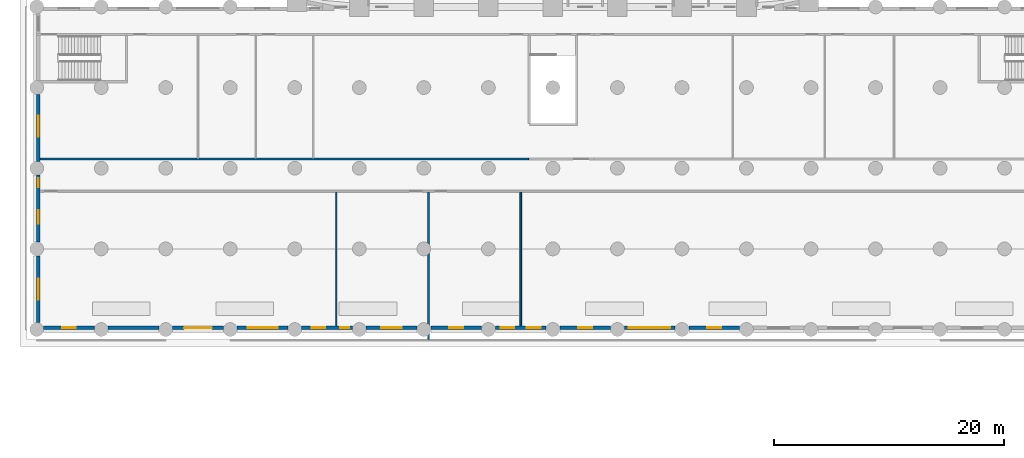
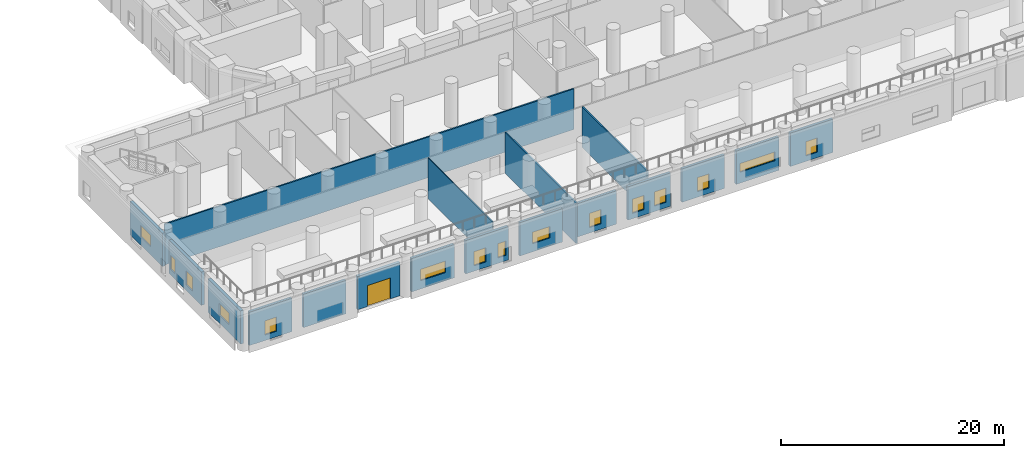
# One storey, part 6 of 24: 18 walls, 15 windows, 1 door, 16 openings.
"""IFC4 building model written with IfcOpenShell, lengths in metres."""

from ifc_helpers import new_model, si_unit, direction, frame, frame_2d, origin, place, context, subcontext, project, spatial, rectangle, extrude, material, layer, layer_set, type_object, element, fill, save


model = new_model("IFC4")

# Units and contexts
model_context = context("Model", 3, precision=1e-05, world=origin(), true_north=direction((0.0, 1.0)))
body_context = subcontext(model_context, "Body", "Model", "MODEL_VIEW")
ifc_project = project(units=[si_unit("LENGTHUNIT", "METRE"), si_unit("AREAUNIT", "SQUARE_METRE"), si_unit("VOLUMEUNIT", "CUBIC_METRE"), si_unit("PLANEANGLEUNIT", "RADIAN"), si_unit("MASSUNIT", "GRAM", prefix="KILO")], contexts=[model_context])

# Site, building, storey
site_placement = place(None, origin())
site = spatial("IfcSite", under=ifc_project, at=site_placement, CompositionType="ELEMENT")
building_placement = place(site_placement, origin())
building = spatial("IfcBuilding", under=site, at=building_placement, Name="Kiln Ring Residences", CompositionType="ELEMENT")
storey_placement = place(building_placement, frame((0.0, 0.0, 11.300048828125)))
storey = spatial("IfcBuildingStorey", under=building, at=storey_placement, Name="L02", CompositionType="ELEMENT", Elevation=11.300048828125)

# Wall, opening, window
ifc_material_1 = material(Name="Brick masonry, dark clay brick", Category="masonry")
ifc_layer_1 = layer(ifc_material_1, 0.300048828125)
ifc_layer_set_1 = layer_set([ifc_layer_1], Name="EW-300 BRICK WALL")
wall_type_1 = type_object("IfcWallType", Name="EW-300 BRICK WALL", PredefinedType="SOLIDWALL", material=ifc_layer_set_1)
wall_1_placement = place(storey_placement, frame((-44.64990234375, -30.0, 0.0), z_axis=(0.0, 0.0, 1.0), x_axis=(0.0, -1.0, 0.0)))
wall_1 = element("IfcWall", 1, at=wall_1_placement, inside=storey, type_object=wall_type_1, Name="Facade wall L02 56", PredefinedType="SOLIDWALL", context=body_context, shape_type="SweptSolid", body=[
    extrude(rectangle(XDim=5.800048828125, YDim=0.300048828125, at=frame_2d((2.89990234375, 0.0))), origin(), (0.0, 0.0, 1.0), 3.64990234375),
])
opening_1_placement = place(wall_1_placement, frame((1.862548828125, 0.0, 0.89990234375)))
opening_1 = element("IfcOpeningElement", 2, at=opening_1_placement, cuts=wall_1, Name="Opening W2", PredefinedType="OPENING", context=body_context, shape_type="SweptSolid", body=[
    extrude(rectangle(XDim=1.800048828125, YDim=1.25, at=frame_2d((0.89990234375, 0.625))), frame((0.0, 0.159912109375, 0.0), z_axis=(0.0, -1.0, 0.0), x_axis=(1.0, 0.0, 0.0)), (0.0, 0.0, 1.0), 0.320068359375),
])
ifc_material_2 = material(Name="Aluminium frame with double glazing", Category="aluminium")
window_type_1 = type_object("IfcWindowType", Name="WINDOW 1800 x 1250", PartitioningType="SINGLE_PANEL", PredefinedType="WINDOW", material=ifc_material_2)
window_1_placement = place(opening_1_placement, origin())
window_1 = element("IfcWindow", 3, at=window_1_placement, inside=storey, type_object=window_type_1, Name="Window L02 28", OverallHeight=1.25, OverallWidth=1.800048828125, PartitioningType="SINGLE_PANEL", PredefinedType="WINDOW", context=body_context, shape_type="SweptSolid", body=[
    extrude(rectangle(XDim=1.800048828125, YDim=1.25, at=frame_2d((0.89990234375, 0.625))), frame((0.0, 0.030029296875, 0.0), z_axis=(0.0, -1.0, 0.0), x_axis=(1.0, 0.0, 0.0)), (0.0, 0.0, 1.0), 0.06005859375),
])
fill(opening_1, window_1)

# Wall, openings, windows
wall_2_placement = place(storey_placement, frame((-44.64990234375, -37.0, 0.0), z_axis=(0.0, 0.0, 1.0), x_axis=(0.0, -1.0, 0.0)))
wall_2 = element("IfcWall", 4, at=wall_2_placement, inside=storey, type_object=wall_type_1, Name="Facade wall L02 57", PredefinedType="SOLIDWALL", context=body_context, shape_type="SweptSolid", body=[
    extrude(rectangle(XDim=5.800048828125, YDim=0.300048828125, at=frame_2d((2.89990234375, 0.0))), origin(), (0.0, 0.0, 1.0), 3.64990234375),
])
opening_2_placement = place(wall_2_placement, frame((0.262451171875, 0.0, 0.60009765625)))
opening_2 = element("IfcOpeningElement", 5, at=opening_2_placement, cuts=wall_2, Name="Opening W5", PredefinedType="OPENING", context=body_context, shape_type="SweptSolid", body=[
    extrude(rectangle(XDim=0.800048828125, YDim=1.550048828125, at=frame_2d((0.39990234375, 0.77490234375))), frame((0.0, 0.159912109375, 0.0), z_axis=(0.0, -1.0, 0.0), x_axis=(1.0, 0.0, 0.0)), (0.0, 0.0, 1.0), 0.320068359375),
])
opening_3_placement = place(wall_2_placement, frame((3.03759765625, 0.0, 0.60009765625)))
opening_3 = element("IfcOpeningElement", 6, at=opening_3_placement, cuts=wall_2, Name="Opening W1", PredefinedType="OPENING", context=body_context, shape_type="SweptSolid", body=[
    extrude(rectangle(XDim=1.199951171875, YDim=1.550048828125, at=frame_2d((0.60009765625, 0.77490234375))), frame((0.0, 0.159912109375, 0.0), z_axis=(0.0, -1.0, 0.0), x_axis=(1.0, 0.0, 0.0)), (0.0, 0.0, 1.0), 0.320068359375),
])
ifc_material_3 = material(Name="Aluminium frame with double glazing", Category="aluminium")
window_type_2 = type_object("IfcWindowType", Name="WINDOW 1200 x 1550", PartitioningType="SINGLE_PANEL", PredefinedType="WINDOW", material=ifc_material_3)
window_2_placement = place(opening_3_placement, origin())
window_2 = element("IfcWindow", 7, at=window_2_placement, inside=storey, type_object=window_type_2, Name="Window L02 30", OverallHeight=1.550048828125, OverallWidth=1.199951171875, PartitioningType="SINGLE_PANEL", PredefinedType="WINDOW", context=body_context, shape_type="SweptSolid", body=[
    extrude(rectangle(XDim=1.199951171875, YDim=1.550048828125, at=frame_2d((0.60009765625, 0.77490234375))), frame((0.0, 0.030029296875, 0.0), z_axis=(0.0, -1.0, 0.0), x_axis=(1.0, 0.0, 0.0)), (0.0, 0.0, 1.0), 0.06005859375),
])
fill(opening_3, window_2)
ifc_material_4 = material(Name="Aluminium frame with double glazing", Category="aluminium")
window_type_3 = type_object("IfcWindowType", Name="WINDOW 800 x 1550", PartitioningType="SINGLE_PANEL", PredefinedType="WINDOW", material=ifc_material_4)
window_3_placement = place(opening_2_placement, origin())
window_3 = element("IfcWindow", 8, at=window_3_placement, inside=storey, type_object=window_type_3, Name="Window L02 29", OverallHeight=1.550048828125, OverallWidth=0.800048828125, PartitioningType="SINGLE_PANEL", PredefinedType="WINDOW", context=body_context, shape_type="SweptSolid", body=[
    extrude(rectangle(XDim=0.800048828125, YDim=1.550048828125, at=frame_2d((0.39990234375, 0.77490234375))), frame((0.0, 0.030029296875, 0.0), z_axis=(0.0, -1.0, 0.0), x_axis=(1.0, 0.0, 0.0)), (0.0, 0.0, 1.0), 0.06005859375),
])
fill(opening_2, window_3)

# Wall, opening, window
wall_3_placement = place(storey_placement, frame((-44.64990234375, -44.0, 0.0), z_axis=(0.0, 0.0, 1.0), x_axis=(0.0, -1.0, 0.0)))
wall_3 = element("IfcWall", 9, at=wall_3_placement, inside=storey, type_object=wall_type_1, Name="Facade wall L02 58", PredefinedType="SOLIDWALL", context=body_context, shape_type="SweptSolid", body=[
    extrude(rectangle(XDim=5.800048828125, YDim=0.300048828125, at=frame_2d((2.89990234375, 0.0))), origin(), (0.0, 0.0, 1.0), 3.64990234375),
])
opening_4_placement = place(wall_3_placement, frame((2.0, 0.0, 0.89990234375)))
opening_4 = element("IfcOpeningElement", 10, at=opening_4_placement, cuts=wall_3, Name="Opening W2", PredefinedType="OPENING", context=body_context, shape_type="SweptSolid", body=[
    extrude(rectangle(XDim=1.800048828125, YDim=1.25, at=frame_2d((0.89990234375, 0.625))), frame((0.0, 0.159912109375, 0.0), z_axis=(0.0, -1.0, 0.0), x_axis=(1.0, 0.0, 0.0)), (0.0, 0.0, 1.0), 0.320068359375),
])
window_4_placement = place(opening_4_placement, origin())
window_4 = element("IfcWindow", 11, at=window_4_placement, inside=storey, type_object=window_type_1, Name="Window L02 31", OverallHeight=1.25, OverallWidth=1.800048828125, PartitioningType="SINGLE_PANEL", PredefinedType="WINDOW", context=body_context, shape_type="SweptSolid", body=[
    extrude(rectangle(XDim=1.800048828125, YDim=1.25, at=frame_2d((0.89990234375, 0.625))), frame((0.0, 0.030029296875, 0.0), z_axis=(0.0, -1.0, 0.0), x_axis=(1.0, 0.0, 0.0)), (0.0, 0.0, 1.0), 0.06005859375),
])
fill(opening_4, window_4)

wall_4_placement = place(storey_placement, frame((-44.199951171875, -50.25, 0.0), z_axis=(0.0, 0.0, 1.0), x_axis=(1.0, 0.0, 0.0)))
wall_4 = element("IfcWall", 12, at=wall_4_placement, inside=storey, type_object=wall_type_1, Name="Facade wall L02 59", PredefinedType="SOLIDWALL", context=body_context, shape_type="SweptSolid", body=[
    extrude(rectangle(XDim=4.39990234375, YDim=0.300048828125, at=frame_2d((2.199951171875, 0.0))), origin(), (0.0, 0.0, 1.0), 3.64990234375),
])
opening_5_placement = place(wall_4_placement, frame((1.60009765625, 0.0, 0.60009765625)))
opening_5 = element("IfcOpeningElement", 13, at=opening_5_placement, cuts=wall_4, Name="Opening W1", PredefinedType="OPENING", context=body_context, shape_type="SweptSolid", body=[
    extrude(rectangle(XDim=1.199951171875, YDim=1.550048828125, at=frame_2d((0.60009765625, 0.77490234375))), frame((0.0, 0.159912109375, 0.0), z_axis=(0.0, -1.0, 0.0), x_axis=(1.0, 0.0, 0.0)), (0.0, 0.0, 1.0), 0.320068359375),
])
window_5_placement = place(opening_5_placement, origin())
window_5 = element("IfcWindow", 14, at=window_5_placement, inside=storey, type_object=window_type_2, Name="Window L02 32", OverallHeight=1.550048828125, OverallWidth=1.199951171875, PartitioningType="SINGLE_PANEL", PredefinedType="WINDOW", context=body_context, shape_type="SweptSolid", body=[
    extrude(rectangle(XDim=1.199951171875, YDim=1.550048828125, at=frame_2d((0.60009765625, 0.77490234375))), frame((0.0, 0.030029296875, 0.0), z_axis=(0.0, -1.0, 0.0), x_axis=(1.0, 0.0, 0.0)), (0.0, 0.0, 1.0), 0.06005859375),
])
fill(opening_5, window_5)

# Wall
wall_5_placement = place(storey_placement, frame((-38.60009765625, -50.25, 0.0), z_axis=(0.0, 0.0, 1.0), x_axis=(1.0, 0.0, 0.0)))
element("IfcWall", 15, at=wall_5_placement, inside=storey, type_object=wall_type_1, Name="Facade wall L02 60", PredefinedType="SOLIDWALL", context=body_context, shape_type="SweptSolid", body=[
    extrude(rectangle(XDim=4.400146484375, YDim=0.300048828125, at=frame_2d((2.2001953125, 0.0))), origin(), (0.0, 0.0, 1.0), 3.64990234375),
])

# Wall, opening, door
wall_6_placement = place(storey_placement, frame((-33.0, -50.25, 0.0), z_axis=(0.0, 0.0, 1.0), x_axis=(1.0, 0.0, 0.0)))
wall_6 = element("IfcWall", 16, at=wall_6_placement, inside=storey, type_object=wall_type_1, Name="Facade wall L02 61", PredefinedType="SOLIDWALL", context=body_context, shape_type="SweptSolid", body=[
    extrude(rectangle(XDim=4.39990234375, YDim=0.300048828125, at=frame_2d((2.199951171875, 0.0))), origin(), (0.0, 0.0, 1.0), 3.64990234375),
])
opening_6_placement = place(wall_6_placement, frame((1.0, 0.0, 0.0)))
opening_6 = element("IfcOpeningElement", 17, at=opening_6_placement, cuts=wall_6, Name="Opening EL02-1", PredefinedType="OPENING", context=body_context, shape_type="SweptSolid", body=[
    extrude(rectangle(XDim=2.39990234375, YDim=2.300048828125, at=frame_2d((1.199951171875, 1.14990234375))), frame((0.0, 0.159912109375, 0.0), z_axis=(0.0, -1.0, 0.0), x_axis=(1.0, 0.0, 0.0)), (0.0, 0.0, 1.0), 0.320068359375),
])
ifc_material_5 = material(Name="Aluminium and glass", Category="aluminium")
door_type = type_object("IfcDoorType", Name="TERRACE DOOR 2400 x 2300", OperationType="DOUBLE_DOOR_SINGLE_SWING", PredefinedType="DOOR", material=ifc_material_5)
door_placement = place(opening_6_placement, origin())
door = element("IfcDoor", 18, at=door_placement, inside=storey, type_object=door_type, Name="Terrace door EL02-1", OperationType="SINGLE_SWING_LEFT", OverallHeight=2.300048828125, OverallWidth=2.39990234375, PredefinedType="DOOR", context=body_context, shape_type="SweptSolid", body=[
    extrude(rectangle(XDim=2.39990234375, YDim=2.300048828125, at=frame_2d((1.199951171875, 1.14990234375))), frame((0.0, 0.02490234375, 0.0), z_axis=(0.0, -1.0, 0.0), x_axis=(1.0, 0.0, 0.0)), (0.0, 0.0, 1.0), 0.050048828125),
])
fill(opening_6, door)

# Wall, opening, window
wall_7_placement = place(storey_placement, frame((-27.39990234375, -50.25, 0.0), z_axis=(0.0, 0.0, 1.0), x_axis=(1.0, 0.0, 0.0)))
wall_7 = element("IfcWall", 19, at=wall_7_placement, inside=storey, type_object=wall_type_1, Name="Facade wall L02 62", PredefinedType="SOLIDWALL", context=body_context, shape_type="SweptSolid", body=[
    extrude(rectangle(XDim=4.39990234375, YDim=0.300048828125, at=frame_2d((2.199951171875, 0.0))), origin(), (0.0, 0.0, 1.0), 3.64990234375),
])
opening_7_placement = place(wall_7_placement, frame((0.89990234375, 0.0, 0.89990234375)))
opening_7 = element("IfcOpeningElement", 20, at=opening_7_placement, cuts=wall_7, Name="Opening W3", PredefinedType="OPENING", context=body_context, shape_type="SweptSolid", body=[
    extrude(rectangle(XDim=2.60009765625, YDim=1.25, at=frame_2d((1.300048828125, 0.625))), frame((0.0, 0.159912109375, 0.0), z_axis=(0.0, -1.0, 0.0), x_axis=(1.0, 0.0, 0.0)), (0.0, 0.0, 1.0), 0.320068359375),
])
ifc_material_6 = material(Name="Aluminium frame with double glazing", Category="aluminium")
window_type_4 = type_object("IfcWindowType", Name="WINDOW 2600 x 1250", PartitioningType="SINGLE_PANEL", PredefinedType="WINDOW", material=ifc_material_6)
window_6_placement = place(opening_7_placement, origin())
window_6 = element("IfcWindow", 21, at=window_6_placement, inside=storey, type_object=window_type_4, Name="Window L02 33", OverallHeight=1.25, OverallWidth=2.60009765625, PartitioningType="SINGLE_PANEL", PredefinedType="WINDOW", context=body_context, shape_type="SweptSolid", body=[
    extrude(rectangle(XDim=2.60009765625, YDim=1.25, at=frame_2d((1.300048828125, 0.625))), frame((0.0, 0.030029296875, 0.0), z_axis=(0.0, -1.0, 0.0), x_axis=(1.0, 0.0, 0.0)), (0.0, 0.0, 1.0), 0.06005859375),
])
fill(opening_7, window_6)

# Wall, openings, windows
wall_8_placement = place(storey_placement, frame((-21.800048828125, -50.25, 0.0), z_axis=(0.0, 0.0, 1.0), x_axis=(1.0, 0.0, 0.0)))
wall_8 = element("IfcWall", 22, at=wall_8_placement, inside=storey, type_object=wall_type_1, Name="Facade wall L02 63", PredefinedType="SOLIDWALL", context=body_context, shape_type="SweptSolid", body=[
    extrude(rectangle(XDim=4.400146484375, YDim=0.300048828125, at=frame_2d((2.2001953125, 0.0))), origin(), (0.0, 0.0, 1.0), 3.64990234375),
])
opening_8_placement = place(wall_8_placement, frame((0.862548828125, 0.0, 0.60009765625)))
opening_8 = element("IfcOpeningElement", 23, at=opening_8_placement, cuts=wall_8, Name="Opening W1", PredefinedType="OPENING", context=body_context, shape_type="SweptSolid", body=[
    extrude(rectangle(XDim=1.199951171875, YDim=1.550048828125, at=frame_2d((0.60009765625, 0.77490234375))), frame((0.0, 0.159912109375, 0.0), z_axis=(0.0, -1.0, 0.0), x_axis=(1.0, 0.0, 0.0)), (0.0, 0.0, 1.0), 0.320068359375),
])
opening_9_placement = place(wall_8_placement, frame((3.33740234375, 0.0, 0.60009765625)))
opening_9 = element("IfcOpeningElement", 24, at=opening_9_placement, cuts=wall_8, Name="Opening W5", PredefinedType="OPENING", context=body_context, shape_type="SweptSolid", body=[
    extrude(rectangle(XDim=0.800048828125, YDim=1.550048828125, at=frame_2d((0.39990234375, 0.77490234375))), frame((0.0, 0.159912109375, 0.0), z_axis=(0.0, -1.0, 0.0), x_axis=(1.0, 0.0, 0.0)), (0.0, 0.0, 1.0), 0.320068359375),
])
window_7_placement = place(opening_8_placement, origin())
window_7 = element("IfcWindow", 25, at=window_7_placement, inside=storey, type_object=window_type_2, Name="Window L02 34", OverallHeight=1.550048828125, OverallWidth=1.199951171875, PartitioningType="SINGLE_PANEL", PredefinedType="WINDOW", context=body_context, shape_type="SweptSolid", body=[
    extrude(rectangle(XDim=1.199951171875, YDim=1.550048828125, at=frame_2d((0.60009765625, 0.77490234375))), frame((0.0, 0.030029296875, 0.0), z_axis=(0.0, -1.0, 0.0), x_axis=(1.0, 0.0, 0.0)), (0.0, 0.0, 1.0), 0.06005859375),
])
fill(opening_8, window_7)
window_8_placement = place(opening_9_placement, origin())
window_8 = element("IfcWindow", 26, at=window_8_placement, inside=storey, type_object=window_type_3, Name="Window L02 35", OverallHeight=1.550048828125, OverallWidth=0.800048828125, PartitioningType="SINGLE_PANEL", PredefinedType="WINDOW", context=body_context, shape_type="SweptSolid", body=[
    extrude(rectangle(XDim=0.800048828125, YDim=1.550048828125, at=frame_2d((0.39990234375, 0.77490234375))), frame((0.0, 0.030029296875, 0.0), z_axis=(0.0, -1.0, 0.0), x_axis=(1.0, 0.0, 0.0)), (0.0, 0.0, 1.0), 0.06005859375),
])
fill(opening_9, window_8)

# Wall, opening, window
wall_9_placement = place(storey_placement, frame((-16.199951171875, -50.25, 0.0), z_axis=(0.0, 0.0, 1.0), x_axis=(1.0, 0.0, 0.0)))
wall_9 = element("IfcWall", 27, at=wall_9_placement, inside=storey, type_object=wall_type_1, Name="Facade wall L02 64", PredefinedType="SOLIDWALL", context=body_context, shape_type="SweptSolid", body=[
    extrude(rectangle(XDim=4.39990234375, YDim=0.300048828125, at=frame_2d((2.199951171875, 0.0))), origin(), (0.0, 0.0, 1.0), 3.64990234375),
])
opening_10_placement = place(wall_9_placement, frame((1.300048828125, 0.0, 0.89990234375)))
opening_10 = element("IfcOpeningElement", 28, at=opening_10_placement, cuts=wall_9, Name="Opening W2", PredefinedType="OPENING", context=body_context, shape_type="SweptSolid", body=[
    extrude(rectangle(XDim=1.800048828125, YDim=1.25, at=frame_2d((0.89990234375, 0.625))), frame((0.0, 0.159912109375, 0.0), z_axis=(0.0, -1.0, 0.0), x_axis=(1.0, 0.0, 0.0)), (0.0, 0.0, 1.0), 0.320068359375),
])
window_9_placement = place(opening_10_placement, origin())
window_9 = element("IfcWindow", 29, at=window_9_placement, inside=storey, type_object=window_type_1, Name="Window L02 36", OverallHeight=1.25, OverallWidth=1.800048828125, PartitioningType="SINGLE_PANEL", PredefinedType="WINDOW", context=body_context, shape_type="SweptSolid", body=[
    extrude(rectangle(XDim=1.800048828125, YDim=1.25, at=frame_2d((0.89990234375, 0.625))), frame((0.0, 0.030029296875, 0.0), z_axis=(0.0, -1.0, 0.0), x_axis=(1.0, 0.0, 0.0)), (0.0, 0.0, 1.0), 0.06005859375),
])
fill(opening_10, window_9)

wall_10_placement = place(storey_placement, frame((-10.60009765625, -50.25, 0.0), z_axis=(0.0, 0.0, 1.0), x_axis=(1.0, 0.0, 0.0)))
wall_10 = element("IfcWall", 30, at=wall_10_placement, inside=storey, type_object=wall_type_1, Name="Facade wall L02 65", PredefinedType="SOLIDWALL", context=body_context, shape_type="SweptSolid", body=[
    extrude(rectangle(XDim=4.400146484375, YDim=0.300048828125, at=frame_2d((2.2001953125, 0.0))), origin(), (0.0, 0.0, 1.0), 3.64990234375),
])
opening_11_placement = place(wall_10_placement, frame((1.60009765625, 0.0, 0.60009765625)))
opening_11 = element("IfcOpeningElement", 31, at=opening_11_placement, cuts=wall_10, Name="Opening W1", PredefinedType="OPENING", context=body_context, shape_type="SweptSolid", body=[
    extrude(rectangle(XDim=1.199951171875, YDim=1.550048828125, at=frame_2d((0.60009765625, 0.77490234375))), frame((0.0, 0.159912109375, 0.0), z_axis=(0.0, -1.0, 0.0), x_axis=(1.0, 0.0, 0.0)), (0.0, 0.0, 1.0), 0.320068359375),
])
window_10_placement = place(opening_11_placement, origin())
window_10 = element("IfcWindow", 32, at=window_10_placement, inside=storey, type_object=window_type_2, Name="Window L02 37", OverallHeight=1.550048828125, OverallWidth=1.199951171875, PartitioningType="SINGLE_PANEL", PredefinedType="WINDOW", context=body_context, shape_type="SweptSolid", body=[
    extrude(rectangle(XDim=1.199951171875, YDim=1.550048828125, at=frame_2d((0.60009765625, 0.77490234375))), frame((0.0, 0.030029296875, 0.0), z_axis=(0.0, -1.0, 0.0), x_axis=(1.0, 0.0, 0.0)), (0.0, 0.0, 1.0), 0.06005859375),
])
fill(opening_11, window_10)

# Wall, openings, windows
wall_11_placement = place(storey_placement, frame((-5.0, -50.25, 0.0), z_axis=(0.0, 0.0, 1.0), x_axis=(1.0, 0.0, 0.0)))
wall_11 = element("IfcWall", 33, at=wall_11_placement, inside=storey, type_object=wall_type_1, Name="Facade wall L02 66", PredefinedType="SOLIDWALL", context=body_context, shape_type="SweptSolid", body=[
    extrude(rectangle(XDim=4.39990234375, YDim=0.300048828125, at=frame_2d((2.199951171875, 0.0))), origin(), (0.0, 0.0, 1.0), 3.64990234375),
])
opening_12_placement = place(wall_11_placement, frame((0.46240234375, 0.0, 0.60009765625)))
opening_12 = element("IfcOpeningElement", 34, at=opening_12_placement, cuts=wall_11, Name="Opening W1", PredefinedType="OPENING", context=body_context, shape_type="SweptSolid", body=[
    extrude(rectangle(XDim=1.199951171875, YDim=1.550048828125, at=frame_2d((0.60009765625, 0.77490234375))), frame((0.0, 0.159912109375, 0.0), z_axis=(0.0, -1.0, 0.0), x_axis=(1.0, 0.0, 0.0)), (0.0, 0.0, 1.0), 0.320068359375),
])
opening_13_placement = place(wall_11_placement, frame((2.737548828125, 0.0, 0.60009765625)))
opening_13 = element("IfcOpeningElement", 35, at=opening_13_placement, cuts=wall_11, Name="Opening W1", PredefinedType="OPENING", context=body_context, shape_type="SweptSolid", body=[
    extrude(rectangle(XDim=1.199951171875, YDim=1.550048828125, at=frame_2d((0.60009765625, 0.77490234375))), frame((0.0, 0.159912109375, 0.0), z_axis=(0.0, -1.0, 0.0), x_axis=(1.0, 0.0, 0.0)), (0.0, 0.0, 1.0), 0.320068359375),
])
window_11_placement = place(opening_12_placement, origin())
window_11 = element("IfcWindow", 36, at=window_11_placement, inside=storey, type_object=window_type_2, Name="Window L02 38", OverallHeight=1.550048828125, OverallWidth=1.199951171875, PartitioningType="SINGLE_PANEL", PredefinedType="WINDOW", context=body_context, shape_type="SweptSolid", body=[
    extrude(rectangle(XDim=1.199951171875, YDim=1.550048828125, at=frame_2d((0.60009765625, 0.77490234375))), frame((0.0, 0.030029296875, 0.0), z_axis=(0.0, -1.0, 0.0), x_axis=(1.0, 0.0, 0.0)), (0.0, 0.0, 1.0), 0.06005859375),
])
fill(opening_12, window_11)
window_12_placement = place(opening_13_placement, origin())
window_12 = element("IfcWindow", 37, at=window_12_placement, inside=storey, type_object=window_type_2, Name="Window L02 39", OverallHeight=1.550048828125, OverallWidth=1.199951171875, PartitioningType="SINGLE_PANEL", PredefinedType="WINDOW", context=body_context, shape_type="SweptSolid", body=[
    extrude(rectangle(XDim=1.199951171875, YDim=1.550048828125, at=frame_2d((0.60009765625, 0.77490234375))), frame((0.0, 0.030029296875, 0.0), z_axis=(0.0, -1.0, 0.0), x_axis=(1.0, 0.0, 0.0)), (0.0, 0.0, 1.0), 0.06005859375),
])
fill(opening_13, window_12)

# Wall, opening, window
wall_12_placement = place(storey_placement, frame((0.60009765625, -50.25, 0.0), z_axis=(0.0, 0.0, 1.0), x_axis=(1.0, 0.0, 0.0)))
wall_12 = element("IfcWall", 38, at=wall_12_placement, inside=storey, type_object=wall_type_1, Name="Facade wall L02 67", PredefinedType="SOLIDWALL", context=body_context, shape_type="SweptSolid", body=[
    extrude(rectangle(XDim=4.39990234375, YDim=0.300048828125, at=frame_2d((2.199951171875, 0.0))), origin(), (0.0, 0.0, 1.0), 3.64990234375),
])
opening_14_placement = place(wall_12_placement, frame((1.60009765625, 0.0, 0.60009765625)))
opening_14 = element("IfcOpeningElement", 39, at=opening_14_placement, cuts=wall_12, Name="Opening W1", PredefinedType="OPENING", context=body_context, shape_type="SweptSolid", body=[
    extrude(rectangle(XDim=1.199951171875, YDim=1.550048828125, at=frame_2d((0.60009765625, 0.77490234375))), frame((0.0, 0.159912109375, 0.0), z_axis=(0.0, -1.0, 0.0), x_axis=(1.0, 0.0, 0.0)), (0.0, 0.0, 1.0), 0.320068359375),
])
window_13_placement = place(opening_14_placement, origin())
window_13 = element("IfcWindow", 40, at=window_13_placement, inside=storey, type_object=window_type_2, Name="Window L02 40", OverallHeight=1.550048828125, OverallWidth=1.199951171875, PartitioningType="SINGLE_PANEL", PredefinedType="WINDOW", context=body_context, shape_type="SweptSolid", body=[
    extrude(rectangle(XDim=1.199951171875, YDim=1.550048828125, at=frame_2d((0.60009765625, 0.77490234375))), frame((0.0, 0.030029296875, 0.0), z_axis=(0.0, -1.0, 0.0), x_axis=(1.0, 0.0, 0.0)), (0.0, 0.0, 1.0), 0.06005859375),
])
fill(opening_14, window_13)

wall_13_placement = place(storey_placement, frame((6.199951171875, -50.25, 0.0), z_axis=(0.0, 0.0, 1.0), x_axis=(1.0, 0.0, 0.0)))
wall_13 = element("IfcWall", 41, at=wall_13_placement, inside=storey, type_object=wall_type_1, Name="Facade wall L02 68", PredefinedType="SOLIDWALL", context=body_context, shape_type="SweptSolid", body=[
    extrude(rectangle(XDim=4.400146484375, YDim=0.300048828125, at=frame_2d((2.2001953125, 0.0))), origin(), (0.0, 0.0, 1.0), 3.64990234375),
])
opening_15_placement = place(wall_13_placement, frame((0.39990234375, 0.0, 1.199951171875)))
opening_15 = element("IfcOpeningElement", 42, at=opening_15_placement, cuts=wall_13, Name="Opening W4", PredefinedType="OPENING", context=body_context, shape_type="SweptSolid", body=[
    extrude(rectangle(XDim=3.60009765625, YDim=0.949951171875, at=frame_2d((1.800048828125, 0.47509765625))), frame((0.0, 0.159912109375, 0.0), z_axis=(0.0, -1.0, 0.0), x_axis=(1.0, 0.0, 0.0)), (0.0, 0.0, 1.0), 0.320068359375),
])
ifc_material_7 = material(Name="Aluminium frame with double glazing", Category="aluminium")
window_type_5 = type_object("IfcWindowType", Name="WINDOW 3600 x 950", PartitioningType="SINGLE_PANEL", PredefinedType="WINDOW", material=ifc_material_7)
window_14_placement = place(opening_15_placement, origin())
window_14 = element("IfcWindow", 43, at=window_14_placement, inside=storey, type_object=window_type_5, Name="Window L02 41", OverallHeight=0.949951171875, OverallWidth=3.60009765625, PartitioningType="SINGLE_PANEL", PredefinedType="WINDOW", context=body_context, shape_type="SweptSolid", body=[
    extrude(rectangle(XDim=3.60009765625, YDim=0.949951171875, at=frame_2d((1.800048828125, 0.47509765625))), frame((0.0, 0.030029296875, 0.0), z_axis=(0.0, -1.0, 0.0), x_axis=(1.0, 0.0, 0.0)), (0.0, 0.0, 1.0), 0.06005859375),
])
fill(opening_15, window_14)

wall_14_placement = place(storey_placement, frame((11.800048828125, -50.25, 0.0), z_axis=(0.0, 0.0, 1.0), x_axis=(1.0, 0.0, 0.0)))
wall_14 = element("IfcWall", 44, at=wall_14_placement, inside=storey, type_object=wall_type_1, Name="Facade wall L02 69", PredefinedType="SOLIDWALL", context=body_context, shape_type="SweptSolid", body=[
    extrude(rectangle(XDim=4.39990234375, YDim=0.300048828125, at=frame_2d((2.199951171875, 0.0))), origin(), (0.0, 0.0, 1.0), 3.64990234375),
])
opening_16_placement = place(wall_14_placement, frame((1.60009765625, 0.0, 0.60009765625)))
opening_16 = element("IfcOpeningElement", 45, at=opening_16_placement, cuts=wall_14, Name="Opening W1", PredefinedType="OPENING", context=body_context, shape_type="SweptSolid", body=[
    extrude(rectangle(XDim=1.199951171875, YDim=1.550048828125, at=frame_2d((0.60009765625, 0.77490234375))), frame((0.0, 0.159912109375, 0.0), z_axis=(0.0, -1.0, 0.0), x_axis=(1.0, 0.0, 0.0)), (0.0, 0.0, 1.0), 0.320068359375),
])
window_15_placement = place(opening_16_placement, origin())
window_15 = element("IfcWindow", 46, at=window_15_placement, inside=storey, type_object=window_type_2, Name="Window L02 42", OverallHeight=1.550048828125, OverallWidth=1.199951171875, PartitioningType="SINGLE_PANEL", PredefinedType="WINDOW", context=body_context, shape_type="SweptSolid", body=[
    extrude(rectangle(XDim=1.199951171875, YDim=1.550048828125, at=frame_2d((0.60009765625, 0.77490234375))), frame((0.0, 0.030029296875, 0.0), z_axis=(0.0, -1.0, 0.0), x_axis=(1.0, 0.0, 0.0)), (0.0, 0.0, 1.0), 0.06005859375),
])
fill(opening_16, window_15)

# Walls
ifc_material_8 = material(Name="Gypsum board on steel studs", Category="steel")
ifc_layer_2 = layer(ifc_material_8, 0.10009765625)
ifc_layer_set_2 = layer_set([ifc_layer_2], Name="PARTITION-100")
wall_type_2 = type_object("IfcWallType", Name="PARTITION-100", PredefinedType="PARTITIONING", material=ifc_layer_set_2)
wall_15_placement = place(storey_placement, frame((-18.800048828125, -50.080078125, 0.0), z_axis=(0.0, 0.0, 1.0), x_axis=(0.0, 1.0, 0.0)))
element("IfcWall", 47, at=wall_15_placement, inside=storey, type_object=wall_type_2, Name="Partition 021", PredefinedType="PARTITIONING", context=body_context, shape_type="SweptSolid", body=[
    extrude(rectangle(XDim=11.60498046875, YDim=0.10009765625, at=frame_2d((5.802490234375, 0.0))), origin(), (0.0, 0.0, 1.0), 4.449951171875),
])
ifc_material_9 = material(Name="Brick masonry partition", Category="masonry")
ifc_layer_3 = layer(ifc_material_9, 0.14990234375)
ifc_layer_set_3 = layer_set([ifc_layer_3], Name="PARTITION-150-ei60")
wall_type_3 = type_object("IfcWallType", Name="PARTITION-150-ei60", PredefinedType="PARTITIONING", material=ifc_layer_set_3)
wall_16_placement = place(storey_placement, frame((-44.47998046875, -35.60009765625, 0.0), z_axis=(0.0, 0.0, 1.0), x_axis=(1.0, 0.0, 0.0)))
element("IfcWall", 48, at=wall_16_placement, inside=storey, type_object=wall_type_3, Name="Partition 001", PredefinedType="PARTITIONING", context=body_context, shape_type="SweptSolid", body=[
    extrude(rectangle(XDim=42.3798828125, YDim=0.14990234375, at=frame_2d((21.18994140625, 0.0))), origin(), (0.0, 0.0, 1.0), 4.449951171875),
])
wall_17_placement = place(storey_placement, frame((-10.800048828125, -51.22998046875, 0.0), z_axis=(0.0, 0.0, 1.0), x_axis=(0.0, 1.0, 0.0)))
element("IfcWall", 49, at=wall_17_placement, inside=storey, type_object=wall_type_3, Name="Partition 026", PredefinedType="PARTITIONING", context=body_context, shape_type="SweptSolid", body=[
    extrude(rectangle(XDim=12.7548828125, YDim=0.14990234375, at=frame_2d((6.37744140625, 0.0))), origin(), (0.0, 0.0, 1.0), 4.449951171875),
])
wall_18_placement = place(storey_placement, frame((-2.800048828125, -50.080078125, 0.0), z_axis=(0.0, 0.0, 1.0), x_axis=(0.0, 1.0, 0.0)))
element("IfcWall", 50, at=wall_18_placement, inside=storey, type_object=wall_type_3, Name="Partition 028", PredefinedType="PARTITIONING", context=body_context, shape_type="SweptSolid", body=[
    extrude(rectangle(XDim=11.60498046875, YDim=0.14990234375, at=frame_2d((5.802490234375, 0.0))), origin(), (0.0, 0.0, 1.0), 4.449951171875),
])

save(model, "model.ifc")
